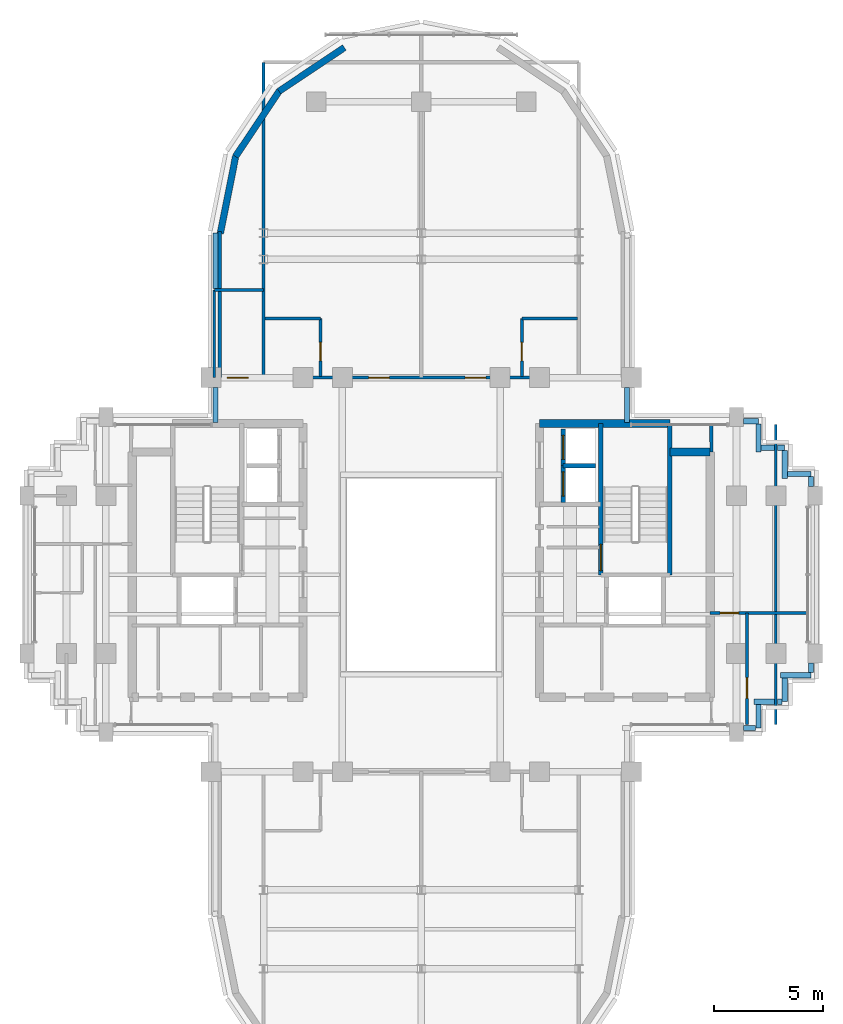
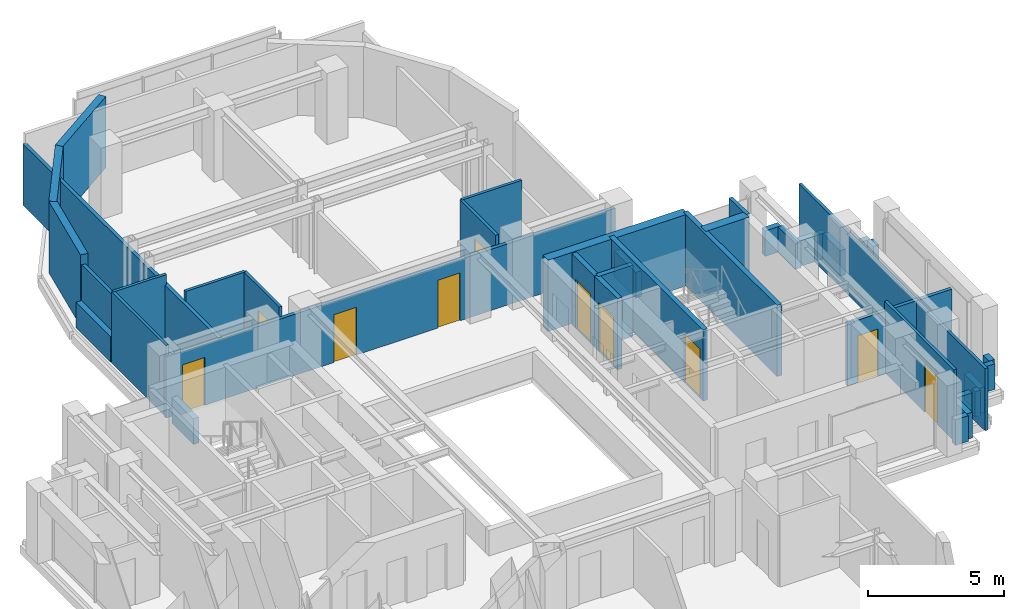
# One storey, part 8 of 12: 40 walls, 10 doors, 10 openings.
"""IFC4 building model written with IfcOpenShell, lengths in metres."""

from ifc_helpers import new_model, si_unit, direction, frame, frame_2d, origin, place, context, subcontext, project, spatial, rectangle, extrude, source, transform, mapped, material, layer, layer_set, type_object, element, fill, save


model = new_model("IFC4")

# Units and contexts
model_context = context("Model", 3, precision=1e-05, world=origin(), true_north=direction((0.0, 1.0)))
body_context = subcontext(model_context, "Body", "Model", "MODEL_VIEW")
ifc_project = project(units=[si_unit("LENGTHUNIT", "METRE"), si_unit("AREAUNIT", "SQUARE_METRE"), si_unit("VOLUMEUNIT", "CUBIC_METRE"), si_unit("PLANEANGLEUNIT", "RADIAN"), si_unit("MASSUNIT", "GRAM", prefix="KILO")], contexts=[model_context])

# Site, building, storey
site_placement = place(None, origin())
site = spatial("IfcSite", under=ifc_project, at=site_placement, CompositionType="ELEMENT")
building_placement = place(site_placement, origin())
building = spatial("IfcBuilding", under=site, at=building_placement, Name="Keilestroom Media Tower", CompositionType="ELEMENT")
storey_placement = place(building_placement, frame((0.0, 0.0, 187.60009765625)))
storey = spatial("IfcBuildingStorey", under=building, at=storey_placement, Name="L51", CompositionType="ELEMENT", Elevation=187.60009765625)

# Walls
ifc_material_1 = material(Name="Precast concrete C40/50", Category="concrete")
ifc_layer_1 = layer(ifc_material_1, 0.300048828125)
ifc_layer_set_1 = layer_set([ifc_layer_1], Name="Precast concrete C40/50")
wall_type_1 = type_object("IfcWallType", Name="Exterior-Masonry-Spandrel-Wall-300", PredefinedType="SOLIDWALL", material=ifc_layer_set_1)
wall_1_placement = place(storey_placement, frame((-3.510009765625, 24.073486328125, 0.0), z_axis=(0.0, 0.0, 1.0), x_axis=(-0.8314749531, -0.555562239868, 0.0)))
element("IfcWall", 1, at=wall_1_placement, inside=storey, type_object=wall_type_1, Name="L51 Lobe Facet Precast Frame Wall 04", PredefinedType="SOLIDWALL", context=body_context, shape_type="SweptSolid", body=[
    extrude(rectangle(XDim=3.59326171875, YDim=0.300048828125, at=frame_2d((1.796630859375, 0.0))), origin(), (0.0, 0.0, 1.0), 3.199951171875),
])
for number, where, z_axis, x_axis, name in (
    (2, (-6.47705078125, 22.097900390625, 0.0), (0.0, 0.0, 1.0), (-0.555574187116, -0.831466970246, 0.0), "L51 Lobe Facet Precast Frame Wall 05"),
    (3, (-8.470703125, 19.12451171875, 0.0), (0.0, 0.0, 1.0), (-0.195114232679, -0.980780523974, 0.0), "L51 Lobe Facet Precast Frame Wall 06"),
):
    element("IfcWall", number, at=place(storey_placement, frame(where, z_axis=z_axis, x_axis=x_axis)), inside=storey, type_object=wall_type_1, Name=name, PredefinedType="SOLIDWALL", context=body_context, shape_type="SweptSolid", body=[
        extrude(rectangle(XDim=3.608642578125, YDim=0.300048828125, at=frame_2d((1.80419921875, 0.0))), origin(), (0.0, 0.0, 1.0), 3.199951171875),
    ])
ifc_material_2 = material(Name="Gypsum Plasterboard & Steel Stud", Category="steel")
ifc_layer_2 = layer(ifc_material_2, 0.1201171875)
ifc_layer_set_2 = layer_set([ifc_layer_2], Name="Gypsum Plasterboard & Steel Stud")
wall_type_2 = type_object("IfcWallType", Name="Interior-Partition-Wall-120", PredefinedType="PARTITIONING", material=ifc_layer_set_2)
wall_2_placement = place(storey_placement, frame((-9.449951171875, 13.0, 0.0), z_axis=(0.0, 0.0, 1.0), x_axis=(1.0, 0.0, 0.0)))
element("IfcWall", 4, at=wall_2_placement, inside=storey, type_object=wall_type_2, Name="L51 Interior Wall WP-L51-H306-WC-N", PredefinedType="PARTITIONING", context=body_context, shape_type="SweptSolid", body=[
    extrude(rectangle(XDim=2.25, YDim=0.1201171875, at=frame_2d((1.125, 0.0))), origin(), (0.0, 0.0, 1.0), 3.199951171875),
])
wall_3_placement = place(storey_placement, frame((-9.449951171875, 9.0, 0.0), z_axis=(0.0, 0.0, 1.0), x_axis=(0.0, 1.0, 0.0)))
element("IfcWall", 5, at=wall_3_placement, inside=storey, type_object=wall_type_2, Name="L51 Interior Wall WP-L51-H306-WC-W", PredefinedType="PARTITIONING", context=body_context, shape_type="SweptSolid", body=[
    extrude(rectangle(XDim=4.0, YDim=0.1201171875, at=frame_2d((2.0, 0.0))), origin(), (0.0, 0.0, 1.0), 3.199951171875),
])

# Wall, opening, door
wall_4_placement = place(storey_placement, frame((-4.60009765625, 9.06005859375, 0.0), z_axis=(0.0, 0.0, 1.0), x_axis=(0.0, 1.0, 0.0)))
wall_4 = element("IfcWall", 6, at=wall_4_placement, inside=storey, type_object=wall_type_2, Name="L51 Interior Wall WP-L51-ENSW-NW", PredefinedType="PARTITIONING", context=body_context, shape_type="SweptSolid", body=[
    extrude(rectangle(XDim=2.639892578125, YDim=0.1201171875, at=frame_2d((1.31982421875, 0.0))), origin(), (0.0, 0.0, 1.0), 3.199951171875),
])
opening_1_placement = place(wall_4_placement, frame((0.699951171875, 0.0, 0.0)))
opening_1 = element("IfcOpeningElement", 7, at=opening_1_placement, cuts=wall_4, Name="Opening DI-05", PredefinedType="OPENING", context=body_context, shape_type="SweptSolid", body=[
    extrude(rectangle(XDim=0.85009765625, YDim=2.10009765625, at=frame_2d((0.425048828125, 1.050048828125))), frame((0.0, 0.070068359375, 0.0), z_axis=(0.0, -1.0, 0.0), x_axis=(1.0, 0.0, 0.0)), (0.0, 0.0, 1.0), 0.14013671875),
])
ifc_material_3 = material(Name="Moisture-Resistant Oak Leaf", Category="wood")
door_type_1 = type_object("IfcDoorType", Name="Interior-En-Suite-And-Cupboard-Door-DI-05", OperationType="NOTDEFINED", PredefinedType="DOOR", material=ifc_material_3)
shared_shape_1 = source(origin(), body_context, "Body", "SweptSolid", [
    extrude(rectangle(XDim=0.85009765625, YDim=2.10009765625, at=frame_2d((0.425048828125, 1.050048828125))), frame((0.0, 0.02490234375, 0.0), z_axis=(0.0, -1.0, 0.0), x_axis=(1.0, 0.0, 0.0)), (0.0, 0.0, 1.0), 0.050048828125),
])
door_1_placement = place(opening_1_placement, origin())
door_1 = element("IfcDoor", 8, at=door_1_placement, inside=storey, type_object=door_type_1, Name="L51 Interior Door DI-L51-DENS-NW", OperationType="SINGLE_SWING_LEFT", OverallHeight=2.10009765625, OverallWidth=0.85009765625, PredefinedType="DOOR", context=body_context, shape_type="MappedRepresentation", body=[
    mapped(shared_shape_1, transform((0.0, 0.0, 0.0), x_axis=(1.0, 0.0, 0.0), y_axis=(0.0, 1.0, 0.0), z_axis=(0.0, 0.0, 1.0), scale=1.0)),
])
fill(opening_1, door_1)

# Wall
wall_5_placement = place(storey_placement, frame((-7.139892578125, 11.699951171875, 0.0), z_axis=(0.0, 0.0, 1.0), x_axis=(1.0, 0.0, 0.0)))
element("IfcWall", 9, at=wall_5_placement, inside=storey, type_object=wall_type_2, Name="L51 Interior Wall WP-L51-ENSH-NW", PredefinedType="PARTITIONING", context=body_context, shape_type="SweptSolid", body=[
    extrude(rectangle(XDim=2.539794921875, YDim=0.1201171875, at=frame_2d((1.27001953125, 0.0))), origin(), (0.0, 0.0, 1.0), 3.199951171875),
])

# Wall, opening, door
wall_6_placement = place(storey_placement, frame((4.60009765625, 9.06005859375, 0.0), z_axis=(0.0, 0.0, 1.0), x_axis=(0.0, 1.0, 0.0)))
wall_6 = element("IfcWall", 10, at=wall_6_placement, inside=storey, type_object=wall_type_2, Name="L51 Interior Wall WP-L51-ENSW-NE", PredefinedType="PARTITIONING", context=body_context, shape_type="SweptSolid", body=[
    extrude(rectangle(XDim=2.639892578125, YDim=0.1201171875, at=frame_2d((1.31982421875, 0.0))), origin(), (0.0, 0.0, 1.0), 3.199951171875),
])
opening_2_placement = place(wall_6_placement, frame((0.699951171875, 0.0, 0.0)))
opening_2 = element("IfcOpeningElement", 11, at=opening_2_placement, cuts=wall_6, Name="Opening DI-05", PredefinedType="OPENING", context=body_context, shape_type="SweptSolid", body=[
    extrude(rectangle(XDim=0.85009765625, YDim=2.10009765625, at=frame_2d((0.425048828125, 1.050048828125))), frame((0.0, 0.070068359375, 0.0), z_axis=(0.0, -1.0, 0.0), x_axis=(1.0, 0.0, 0.0)), (0.0, 0.0, 1.0), 0.14013671875),
])
door_2_placement = place(opening_2_placement, origin())
door_2 = element("IfcDoor", 12, at=door_2_placement, inside=storey, type_object=door_type_1, Name="L51 Interior Door DI-L51-DENS-NE", OperationType="SINGLE_SWING_LEFT", OverallHeight=2.10009765625, OverallWidth=0.85009765625, PredefinedType="DOOR", context=body_context, shape_type="MappedRepresentation", body=[
    mapped(shared_shape_1, transform((0.0, 0.0, 0.0), x_axis=(1.0, 0.0, 0.0), y_axis=(0.0, 1.0, 0.0), z_axis=(0.0, 0.0, 1.0), scale=1.0)),
])
fill(opening_2, door_2)

# Walls
wall_7_placement = place(storey_placement, frame((4.60009765625, 11.699951171875, 0.0), z_axis=(0.0, 0.0, 1.0), x_axis=(1.0, 0.0, 0.0)))
element("IfcWall", 13, at=wall_7_placement, inside=storey, type_object=wall_type_2, Name="L51 Interior Wall WP-L51-ENSH-NE", PredefinedType="PARTITIONING", context=body_context, shape_type="SweptSolid", body=[
    extrude(rectangle(XDim=2.539794921875, YDim=0.1201171875, at=frame_2d((1.27001953125, 0.0))), origin(), (0.0, 0.0, 1.0), 3.199951171875),
])
wall_8_placement = place(storey_placement, frame((16.199951171875, -6.85009765625, 0.0), z_axis=(0.0, 0.0, 1.0), x_axis=(0.0, 1.0, 0.0)))
element("IfcWall", 14, at=wall_8_placement, inside=storey, type_object=wall_type_2, Name="L51 Interior Wall WP-L51-HEE-COL", PredefinedType="PARTITIONING", context=body_context, shape_type="SweptSolid", body=[
    extrude(rectangle(XDim=13.7001953125, YDim=0.1201171875, at=frame_2d((6.85009765625, 0.0))), origin(), (0.0, 0.0, 1.0), 2.7998046875),
])

# Wall, opening, door
wall_9_placement = place(storey_placement, frame((14.8798828125, -6.85009765625, 0.0), z_axis=(0.0, 0.0, 1.0), x_axis=(0.0, 1.0, 0.0)))
wall_9 = element("IfcWall", 15, at=wall_9_placement, inside=storey, type_object=wall_type_2, Name="L51 Interior Wall WP-L51-HSKP-W", PredefinedType="PARTITIONING", context=body_context, shape_type="SweptSolid", body=[
    extrude(rectangle(XDim=5.10009765625, YDim=0.1201171875, at=frame_2d((2.550048828125, 0.0))), origin(), (0.0, 0.0, 1.0), 3.199951171875),
])
opening_3_placement = place(wall_9_placement, frame((1.199951171875, 0.0, 0.0)))
opening_3 = element("IfcOpeningElement", 16, at=opening_3_placement, cuts=wall_9, Name="Opening DI-03", PredefinedType="OPENING", context=body_context, shape_type="SweptSolid", body=[
    extrude(rectangle(XDim=0.949951171875, YDim=2.14990234375, at=frame_2d((0.47509765625, 1.074951171875))), frame((0.0, 0.070068359375, 0.0), z_axis=(0.0, -1.0, 0.0), x_axis=(1.0, 0.0, 0.0)), (0.0, 0.0, 1.0), 0.14013671875),
])
ifc_material_4 = material(Name="Lacquered European Oak Leaf", Category="wood")
door_type_2 = type_object("IfcDoorType", Name="Interior-Room-And-Suite-Door-DI-03", OperationType="NOTDEFINED", PredefinedType="DOOR", material=ifc_material_4)
shared_shape_2 = source(origin(), body_context, "Body", "SweptSolid", [
    extrude(rectangle(XDim=0.949951171875, YDim=2.14990234375, at=frame_2d((0.47509765625, 1.074951171875))), frame((0.0, 0.02490234375, 0.0), z_axis=(0.0, -1.0, 0.0), x_axis=(1.0, 0.0, 0.0)), (0.0, 0.0, 1.0), 0.050048828125),
])
door_3_placement = place(opening_3_placement, origin())
door_3 = element("IfcDoor", 17, at=door_3_placement, inside=storey, type_object=door_type_2, Name="L51 Interior Door DI-L51-DHSKP-E", OperationType="SINGLE_SWING_LEFT", OverallHeight=2.14990234375, OverallWidth=0.949951171875, PredefinedType="DOOR", context=body_context, shape_type="MappedRepresentation", body=[
    mapped(shared_shape_2, transform((0.0, 0.0, 0.0), x_axis=(1.0, 0.0, 0.0), y_axis=(0.0, 1.0, 0.0), z_axis=(0.0, 0.0, 1.0), scale=1.0)),
])
fill(opening_3, door_3)

# Wall, openings, doors
ifc_layer_3 = layer(ifc_material_2, 0.14990234375)
ifc_layer_set_3 = layer_set([ifc_layer_3], Name="Gypsum Plasterboard & Steel Stud")
wall_type_3 = type_object("IfcWallType", Name="Interior-Partition-Wall-150", PredefinedType="PARTITIONING", material=ifc_layer_set_3)
wall_10_placement = place(storey_placement, frame((-9.550048828125, 9.0, 0.0), z_axis=(0.0, 0.0, 1.0), x_axis=(1.0, 0.0, 0.0)))
wall_10 = element("IfcWall", 18, at=wall_10_placement, inside=storey, type_object=wall_type_3, Name="L51 Interior Wall WP-L51-H306-N-BASE", PredefinedType="PARTITIONING", context=body_context, shape_type="SweptSolid", body=[
    extrude(rectangle(XDim=19.10009765625, YDim=0.14990234375, at=frame_2d((9.550048828125, 0.0))), origin(), (0.0, 0.0, 1.0), 2.75),
])
opening_4_placement = place(wall_10_placement, frame((0.699951171875, 0.0, 0.0)))
opening_4 = element("IfcOpeningElement", 19, at=opening_4_placement, cuts=wall_10, Name="Opening DI-03", PredefinedType="OPENING", context=body_context, shape_type="SweptSolid", body=[
    extrude(rectangle(XDim=0.949951171875, YDim=2.14990234375, at=frame_2d((0.47509765625, 1.074951171875))), frame((0.0, 0.0849609375, 0.0), z_axis=(0.0, -1.0, 0.0), x_axis=(1.0, 0.0, 0.0)), (0.0, 0.0, 1.0), 0.169921875),
])
opening_5_placement = place(wall_10_placement, frame((7.14990234375, 0.0, 0.0)))
opening_5 = element("IfcOpeningElement", 20, at=opening_5_placement, cuts=wall_10, Name="Opening DI-03", PredefinedType="OPENING", context=body_context, shape_type="SweptSolid", body=[
    extrude(rectangle(XDim=0.949951171875, YDim=2.14990234375, at=frame_2d((0.47509765625, 1.074951171875))), frame((0.0, 0.0849609375, 0.0), z_axis=(0.0, -1.0, 0.0), x_axis=(1.0, 0.0, 0.0)), (0.0, 0.0, 1.0), 0.169921875),
])
opening_6_placement = place(wall_10_placement, frame((11.550048828125, 0.0, 0.0)))
opening_6 = element("IfcOpeningElement", 21, at=opening_6_placement, cuts=wall_10, Name="Opening DI-03", PredefinedType="OPENING", context=body_context, shape_type="SweptSolid", body=[
    extrude(rectangle(XDim=0.949951171875, YDim=2.14990234375, at=frame_2d((0.47509765625, 1.074951171875))), frame((0.0, 0.0849609375, 0.0), z_axis=(0.0, -1.0, 0.0), x_axis=(1.0, 0.0, 0.0)), (0.0, 0.0, 1.0), 0.169921875),
])
door_4_placement = place(opening_4_placement, origin())
door_4 = element("IfcDoor", 22, at=door_4_placement, inside=storey, type_object=door_type_2, Name="L51 Interior Door DI-L51-DH306-WC", OperationType="SINGLE_SWING_RIGHT", OverallHeight=2.14990234375, OverallWidth=0.949951171875, PredefinedType="DOOR", context=body_context, shape_type="MappedRepresentation", body=[
    mapped(shared_shape_2, transform((0.0, 0.0, 0.0), x_axis=(1.0, 0.0, 0.0), y_axis=(0.0, 1.0, 0.0), z_axis=(0.0, 0.0, 1.0), scale=1.0)),
])
fill(opening_4, door_4)
door_5_placement = place(opening_5_placement, origin())
door_5 = element("IfcDoor", 23, at=door_5_placement, inside=storey, type_object=door_type_2, Name="L51 Interior Door DI-L51-DHTL-NW", OperationType="SINGLE_SWING_RIGHT", OverallHeight=2.14990234375, OverallWidth=0.949951171875, PredefinedType="DOOR", context=body_context, shape_type="MappedRepresentation", body=[
    mapped(shared_shape_2, transform((0.0, 0.0, 0.0), x_axis=(1.0, 0.0, 0.0), y_axis=(0.0, 1.0, 0.0), z_axis=(0.0, 0.0, 1.0), scale=1.0)),
])
fill(opening_5, door_5)
door_6_placement = place(opening_6_placement, origin())
door_6 = element("IfcDoor", 24, at=door_6_placement, inside=storey, type_object=door_type_2, Name="L51 Interior Door DI-L51-DHTL-NE", OperationType="SINGLE_SWING_RIGHT", OverallHeight=2.14990234375, OverallWidth=0.949951171875, PredefinedType="DOOR", context=body_context, shape_type="MappedRepresentation", body=[
    mapped(shared_shape_2, transform((0.0, 0.0, 0.0), x_axis=(1.0, 0.0, 0.0), y_axis=(0.0, 1.0, 0.0), z_axis=(0.0, 0.0, 1.0), scale=1.0)),
])
fill(opening_6, door_6)

# Walls
wall_11_placement = place(storey_placement, frame((-9.199951171875, 9.0, 0.0), z_axis=(0.0, 0.0, 1.0), x_axis=(0.0, 1.0, 0.0)))
element("IfcWall", 25, at=wall_11_placement, inside=storey, type_object=wall_type_3, Name="L51 Interior Wall WP-L51-NL-CHKW", PredefinedType="PARTITIONING", context=body_context, shape_type="SweptSolid", body=[
    extrude(rectangle(XDim=6.679931640625, YDim=0.14990234375, at=frame_2d((3.33984375, 0.0))), origin(), (0.0, 0.0, 1.0), 2.75),
])
wall_12_placement = place(storey_placement, frame((-7.199951171875, 9.0, 0.0), z_axis=(0.0, 0.0, 1.0), x_axis=(0.0, 1.0, 0.0)))
element("IfcWall", 26, at=wall_12_placement, inside=storey, type_object=wall_type_3, Name="L51 Interior Wall WP-L51-H306-NV--72", PredefinedType="PARTITIONING", context=body_context, shape_type="SweptSolid", body=[
    extrude(rectangle(XDim=14.39990234375, YDim=0.14990234375, at=frame_2d((7.199951171875, 0.0))), origin(), (0.0, 0.0, 1.0), 2.75),
])
wall_13_placement = place(storey_placement, frame((13.260009765625, 5.60009765625, 0.0), z_axis=(0.0, 0.0, 1.0), x_axis=(-0.016013571389, 0.999871774545, 0.0)))
element("IfcWall", 27, at=wall_13_placement, inside=storey, type_object=wall_type_3, Name="L51 Interior Wall WP-L51-HEE-ENK", PredefinedType="PARTITIONING", context=body_context, shape_type="SweptSolid", body=[
    extrude(rectangle(XDim=1.250244140625, YDim=0.14990234375, at=frame_2d((0.625, 0.0))), origin(), (0.0, 0.0, 1.0), 3.199951171875),
])

# Wall, opening, door
wall_14_placement = place(storey_placement, frame((13.199951171875, -1.75, 0.0), z_axis=(0.0, 0.0, 1.0), x_axis=(1.0, 0.0, 0.0)))
wall_14 = element("IfcWall", 28, at=wall_14_placement, inside=storey, type_object=wall_type_3, Name="L51 Interior Wall WP-L51-HLNG-S", PredefinedType="PARTITIONING", context=body_context, shape_type="SweptSolid", body=[
    extrude(rectangle(XDim=4.449951171875, YDim=0.14990234375, at=frame_2d((2.22509765625, 0.0))), origin(), (0.0, 0.0, 1.0), 2.7998046875),
])
opening_7_placement = place(wall_14_placement, frame((0.449951171875, 0.0, 0.0)))
opening_7 = element("IfcOpeningElement", 29, at=opening_7_placement, cuts=wall_14, Name="Opening DI-05", PredefinedType="OPENING", context=body_context, shape_type="SweptSolid", body=[
    extrude(rectangle(XDim=0.85009765625, YDim=2.10009765625, at=frame_2d((0.425048828125, 1.050048828125))), frame((0.0, 0.0849609375, 0.0), z_axis=(0.0, -1.0, 0.0), x_axis=(1.0, 0.0, 0.0)), (0.0, 0.0, 1.0), 0.169921875),
])
door_7_placement = place(opening_7_placement, origin())
door_7 = element("IfcDoor", 30, at=door_7_placement, inside=storey, type_object=door_type_1, Name="L51 Interior Door DI-L51-DLNG-E", OperationType="SINGLE_SWING_RIGHT", OverallHeight=2.10009765625, OverallWidth=0.85009765625, PredefinedType="DOOR", context=body_context, shape_type="MappedRepresentation", body=[
    mapped(shared_shape_1, transform((0.0, 0.0, 0.0), x_axis=(1.0, 0.0, 0.0), y_axis=(0.0, 1.0, 0.0), z_axis=(0.0, 0.0, 1.0), scale=1.0)),
])
fill(opening_7, door_7)

# Walls
ifc_material_5 = material(Name="Concrete C55/67", Category="concrete")
ifc_layer_4 = layer(ifc_material_5, 0.3798828125)
ifc_layer_set_4 = layer_set([ifc_layer_4], Name="Concrete C55/67")
wall_type_4 = type_object("IfcWallType", Name="Reinforced-Concrete-Core-Shear-Wall-380", PredefinedType="SHEAR", material=ifc_layer_set_4)
wall_15_placement = place(storey_placement, frame((5.39990234375, 6.89990234375, 0.0), z_axis=(0.0, 0.0, 1.0), x_axis=(1.0, 0.0, 0.0)))
element("IfcWall", 31, at=wall_15_placement, inside=storey, type_object=wall_type_4, Name="L51 Core Shear Wall WL-L51-CORE-E-N", PredefinedType="SHEAR", context=body_context, shape_type="SweptSolid", body=[
    extrude(rectangle(XDim=5.9560546875, YDim=0.3798828125, at=frame_2d((2.97802734375, 0.0))), origin(), (0.0, 0.0, 1.0), 3.199951171875),
])
wall_16_placement = place(storey_placement, frame((11.35595703125, 5.60009765625, 0.0), z_axis=(0.0, 0.0, 1.0), x_axis=(1.0, 0.0, 0.0)))
element("IfcWall", 32, at=wall_16_placement, inside=storey, type_object=wall_type_4, Name="L51 Core Shear Wall WL-L51-CNE-N", PredefinedType="SHEAR", context=body_context, shape_type="SweptSolid", body=[
    extrude(rectangle(XDim=1.843994140625, YDim=0.3798828125, at=frame_2d((0.921875, 0.0))), origin(), (0.0, 0.0, 1.0), 3.199951171875),
])

# Wall, opening, door
ifc_material_6 = material(Name="Concrete C50/60", Category="concrete")
ifc_layer_5 = layer(ifc_material_6, 0.199951171875)
ifc_layer_set_5 = layer_set([ifc_layer_5], Name="Concrete C50/60")
wall_type_5 = type_object("IfcWallType", Name="Reinforced-Concrete-Shaft-Wall-200", PredefinedType="SOLIDWALL", material=ifc_layer_set_5)
wall_17_placement = place(storey_placement, frame((8.2041015625, -0.01611328125, 0.0), z_axis=(0.0, 0.0, 1.0), x_axis=(0.0, 1.0, 0.0)))
wall_17 = element("IfcWall", 33, at=wall_17_placement, inside=storey, type_object=wall_type_5, Name="L51 Core Shear Wall WL-L51-STW-E-NEAR", PredefinedType="SOLIDWALL", context=body_context, shape_type="SweptSolid", body=[
    extrude(rectangle(XDim=6.916015625, YDim=0.199951171875, at=frame_2d((3.4580078125, 0.0))), origin(), (0.0, 0.0, 1.0), 3.199951171875),
])
opening_8_placement = place(wall_17_placement, frame((0.199951171875, 0.0, 0.0)))
opening_8 = element("IfcOpeningElement", 34, at=opening_8_placement, cuts=wall_17, Name="Opening DI-01S", PredefinedType="OPENING", context=body_context, shape_type="SweptSolid", body=[
    extrude(rectangle(XDim=1.199951171875, YDim=2.199951171875, at=frame_2d((0.60009765625, 1.10009765625))), frame((0.0, 0.10986328125, 0.0), z_axis=(0.0, -1.0, 0.0), x_axis=(1.0, 0.0, 0.0)), (0.0, 0.0, 1.0), 0.219970703125),
])
ifc_material_7 = material(Name="Powder-Coated Steel Fire Leaf", Category="steel")
door_type_3 = type_object("IfcDoorType", Name="Interior-Stair-And-Core-Fire-Door-DI-01", OperationType="NOTDEFINED", PredefinedType="DOOR", material=ifc_material_7)
shared_shape_3 = source(origin(), body_context, "Body", "SweptSolid", [
    extrude(rectangle(XDim=1.199951171875, YDim=2.199951171875, at=frame_2d((0.60009765625, 1.10009765625))), frame((0.0, 0.02490234375, 0.0), z_axis=(0.0, -1.0, 0.0), x_axis=(1.0, 0.0, 0.0)), (0.0, 0.0, 1.0), 0.050048828125),
])
door_8_placement = place(opening_8_placement, origin())
door_8 = element("IfcDoor", 35, at=door_8_placement, inside=storey, type_object=door_type_3, Name="L51 Escape Stair ST-2 Fire Door", OperationType="SINGLE_SWING_RIGHT", OverallHeight=2.199951171875, OverallWidth=1.199951171875, PredefinedType="DOOR", context=body_context, shape_type="MappedRepresentation", body=[
    mapped(shared_shape_3, transform((0.0, 0.0, 0.0), x_axis=(1.0, 0.0, 0.0), y_axis=(0.0, 1.0, 0.0), z_axis=(0.0, 0.0, 1.0), scale=1.0)),
])
fill(opening_8, door_8)

# Wall
wall_18_placement = place(storey_placement, frame((11.35595703125, -0.01611328125, 0.0), z_axis=(0.0, 0.0, 1.0), x_axis=(0.0, 1.0, 0.0)))
element("IfcWall", 36, at=wall_18_placement, inside=storey, type_object=wall_type_5, Name="L51 Core Shear Wall WL-L51-STW-E-FAR", PredefinedType="SOLIDWALL", context=body_context, shape_type="SweptSolid", body=[
    extrude(rectangle(XDim=6.916015625, YDim=0.199951171875, at=frame_2d((3.4580078125, 0.0))), origin(), (0.0, 0.0, 1.0), 3.199951171875),
])

# Wall, opening, door
wall_19_placement = place(storey_placement, frame((6.47998046875, 3.300048828125, 0.0), z_axis=(0.0, 0.0, 1.0), x_axis=(0.0, 1.0, 0.0)))
wall_19 = element("IfcWall", 37, at=wall_19_placement, inside=storey, type_object=wall_type_5, Name="L51 Core Shear Wall WL-L51-LSH-PL-H3-W", PredefinedType="SOLIDWALL", context=body_context, shape_type="SweptSolid", body=[
    extrude(rectangle(XDim=1.679931640625, YDim=0.199951171875, at=frame_2d((0.83984375, 0.0))), origin(), (0.0, 0.0, 1.0), 3.199951171875),
])
opening_9_placement = place(wall_19_placement, frame((0.2900390625, 0.0, 0.0)))
opening_9 = element("IfcOpeningElement", 38, at=opening_9_placement, cuts=wall_19, Name="Opening LD-01", PredefinedType="OPENING", context=body_context, shape_type="SweptSolid", body=[
    extrude(rectangle(XDim=1.10009765625, YDim=2.199951171875, at=frame_2d((0.550048828125, 1.10009765625))), frame((0.0, 0.10986328125, 0.0), z_axis=(0.0, -1.0, 0.0), x_axis=(1.0, 0.0, 0.0)), (0.0, 0.0, 1.0), 0.219970703125),
])
ifc_material_8 = material(Name="Brushed Stainless Steel Sliding Leaf", Category="steel")
door_type_4 = type_object("IfcDoorType", Name="Lift-Landing-Sliding-Door-LD-01", OperationType="SLIDING_TO_LEFT", PredefinedType="DOOR", material=ifc_material_8)
shared_shape_4 = source(origin(), body_context, "Body", "SweptSolid", [
    extrude(rectangle(XDim=1.10009765625, YDim=2.199951171875, at=frame_2d((0.550048828125, 1.10009765625))), frame((0.0, 0.02490234375, 0.0), z_axis=(0.0, -1.0, 0.0), x_axis=(1.0, 0.0, 0.0)), (0.0, 0.0, 1.0), 0.050048828125),
])
door_9_placement = place(opening_9_placement, origin())
door_9 = element("IfcDoor", 39, at=door_9_placement, inside=storey, type_object=door_type_4, Name="L51 Lift PL-H3 Landing Sliding Door", OperationType="SLIDING_TO_LEFT", OverallHeight=2.199951171875, OverallWidth=1.10009765625, PredefinedType="DOOR", context=body_context, shape_type="MappedRepresentation", body=[
    mapped(shared_shape_4, transform((0.0, 0.0, 0.0), x_axis=(1.0, 0.0, 0.0), y_axis=(0.0, 1.0, 0.0), z_axis=(0.0, 0.0, 1.0), scale=1.0)),
])
fill(opening_9, door_9)

# Wall
wall_20_placement = place(storey_placement, frame((6.47998046875, 4.97998046875, 0.0), z_axis=(0.0, 0.0, 1.0), x_axis=(1.0, 0.0, 0.0)))
element("IfcWall", 40, at=wall_20_placement, inside=storey, type_object=wall_type_5, Name="L51 Core Shear Wall WL-L51-LSH-PL-H3-N", PredefinedType="SOLIDWALL", context=body_context, shape_type="SweptSolid", body=[
    extrude(rectangle(XDim=1.469970703125, YDim=0.199951171875, at=frame_2d((0.73486328125, 0.0))), origin(), (0.0, 0.0, 1.0), 3.199951171875),
])

# Wall, opening, door
wall_21_placement = place(storey_placement, frame((6.47998046875, 4.97998046875, 0.0), z_axis=(0.0, 0.0, 1.0), x_axis=(0.0, 1.0, 0.0)))
wall_21 = element("IfcWall", 41, at=wall_21_placement, inside=storey, type_object=wall_type_5, Name="L51 Core Shear Wall WL-L51-LSH-PL-H4-W", PredefinedType="SOLIDWALL", context=body_context, shape_type="SweptSolid", body=[
    extrude(rectangle(XDim=1.669921875, YDim=0.199951171875, at=frame_2d((0.8349609375, 0.0))), origin(), (0.0, 0.0, 1.0), 3.199951171875),
])
opening_10_placement = place(wall_21_placement, frame((0.284912109375, 0.0, 0.0)))
opening_10 = element("IfcOpeningElement", 42, at=opening_10_placement, cuts=wall_21, Name="Opening LD-01", PredefinedType="OPENING", context=body_context, shape_type="SweptSolid", body=[
    extrude(rectangle(XDim=1.10009765625, YDim=2.199951171875, at=frame_2d((0.550048828125, 1.10009765625))), frame((0.0, 0.10986328125, 0.0), z_axis=(0.0, -1.0, 0.0), x_axis=(1.0, 0.0, 0.0)), (0.0, 0.0, 1.0), 0.219970703125),
])
door_10_placement = place(opening_10_placement, origin())
door_10 = element("IfcDoor", 43, at=door_10_placement, inside=storey, type_object=door_type_4, Name="L51 Lift PL-H4 Landing Sliding Door", OperationType="SLIDING_TO_LEFT", OverallHeight=2.199951171875, OverallWidth=1.10009765625, PredefinedType="DOOR", context=body_context, shape_type="MappedRepresentation", body=[
    mapped(shared_shape_4, transform((0.0, 0.0, 0.0), x_axis=(1.0, 0.0, 0.0), y_axis=(0.0, 1.0, 0.0), z_axis=(0.0, 0.0, 1.0), scale=1.0)),
])
fill(opening_10, door_10)

# Walls
ifc_layer_6 = layer(ifc_material_1, 0.239990234375)
ifc_layer_set_6 = layer_set([ifc_layer_6], Name="Precast concrete C40/50")
wall_type_6 = type_object("IfcWallType", Name="Roof-And-Terrace-Parapet-Wall-240", PredefinedType="PARAPET", material=ifc_layer_set_6)
wall_22_placement = place(storey_placement, frame((17.800048828125, -4.60009765625, 0.0), z_axis=(0.0, 0.0, 1.0), x_axis=(-1.0, 0.0, 0.0)))
element("IfcWall", 44, at=wall_22_placement, inside=storey, type_object=wall_type_6, Name="L51 Perimeter Edge Parapet Wall 01", PredefinedType="PARAPET", context=body_context, shape_type="SweptSolid", body=[
    extrude(rectangle(XDim=1.400146484375, YDim=0.239990234375, at=frame_2d((0.7001953125, 0.0))), origin(), (0.0, 0.0, 1.0), 1.14990234375),
])
wall_23_placement = place(storey_placement, frame((16.60009765625, -4.722900390625, 0.0), z_axis=(0.0, 0.0, 1.0), x_axis=(0.0, -1.0, 0.0)))
element("IfcWall", 45, at=wall_23_placement, inside=storey, type_object=wall_type_6, Name="L51 Perimeter Edge Parapet Wall 02", PredefinedType="PARAPET", context=body_context, shape_type="SweptSolid", body=[
    extrude(rectangle(XDim=1.0771484375, YDim=0.239990234375, at=frame_2d((0.53857421875, 0.0))), origin(), (0.0, 0.0, 1.0), 1.14990234375),
])
wall_24_placement = place(storey_placement, frame((16.47705078125, -5.800048828125, 0.0), z_axis=(0.0, 0.0, 1.0), x_axis=(-1.0, 0.0, 0.0)))
element("IfcWall", 46, at=wall_24_placement, inside=storey, type_object=wall_type_6, Name="L51 Perimeter Edge Parapet Wall 03", PredefinedType="PARAPET", context=body_context, shape_type="SweptSolid", body=[
    extrude(rectangle(XDim=0.214111328125, YDim=0.239990234375, at=frame_2d((0.10693359375, 0.0))), origin(), (0.0, 0.0, 1.0), 1.14990234375),
])
wall_25_placement = place(storey_placement, frame((16.136962890625, -5.800048828125, 0.0), z_axis=(0.0, 0.0, 1.0), x_axis=(-1.0, 0.0, 0.0)))
element("IfcWall", 47, at=wall_25_placement, inside=storey, type_object=wall_type_6, Name="L51 Perimeter Edge Parapet Wall 04", PredefinedType="PARAPET", context=body_context, shape_type="SweptSolid", body=[
    extrude(rectangle(XDim=0.93701171875, YDim=0.239990234375, at=frame_2d((0.468505859375, 0.0))), origin(), (0.0, 0.0, 1.0), 1.14990234375),
])
wall_26_placement = place(storey_placement, frame((15.39990234375, -5.923095703125, 0.0), z_axis=(0.0, 0.0, 1.0), x_axis=(0.0, -1.0, 0.0)))
element("IfcWall", 48, at=wall_26_placement, inside=storey, type_object=wall_type_6, Name="L51 Perimeter Edge Parapet Wall 05", PredefinedType="PARAPET", context=body_context, shape_type="SweptSolid", body=[
    extrude(rectangle(XDim=1.076904296875, YDim=0.239990234375, at=frame_2d((0.53857421875, 0.0))), origin(), (0.0, 0.0, 1.0), 1.14990234375),
])
wall_27_placement = place(storey_placement, frame((15.277099609375, -7.0, 0.0), z_axis=(0.0, 0.0, 1.0), x_axis=(-1.0, 0.0, 0.0)))
element("IfcWall", 49, at=wall_27_placement, inside=storey, type_object=wall_type_6, Name="L51 Perimeter Edge Parapet Wall 06", PredefinedType="PARAPET", context=body_context, shape_type="SweptSolid", body=[
    extrude(rectangle(XDim=0.549072265625, YDim=0.239990234375, at=frame_2d((0.2744140625, 0.0))), origin(), (0.0, 0.0, 1.0), 1.14990234375),
])
wall_28_placement = place(storey_placement, frame((-9.39990234375, 6.952880859375, 0.0), z_axis=(0.0, 0.0, 1.0), x_axis=(0.0, 1.0, 0.0)))
element("IfcWall", 50, at=wall_28_placement, inside=storey, type_object=wall_type_6, Name="L51 Perimeter Edge Parapet Wall 26", PredefinedType="PARAPET", context=body_context, shape_type="SweptSolid", body=[
    extrude(rectangle(XDim=1.59423828125, YDim=0.239990234375, at=frame_2d((0.797119140625, 0.0))), origin(), (0.0, 0.0, 1.0), 1.14990234375),
])
wall_29_placement = place(storey_placement, frame((-9.39990234375, 13.06298828125, 0.0), z_axis=(0.0, 0.0, 1.0), x_axis=(0.0, 1.0, 0.0)))
element("IfcWall", 51, at=wall_29_placement, inside=storey, type_object=wall_type_6, Name="L51 Perimeter Edge Parapet Wall 27", PredefinedType="PARAPET", context=body_context, shape_type="SweptSolid", body=[
    extrude(rectangle(XDim=2.539794921875, YDim=0.239990234375, at=frame_2d((1.27001953125, 0.0))), origin(), (0.0, 0.0, 1.0), 1.14990234375),
])
wall_30_placement = place(storey_placement, frame((9.39990234375, 8.547119140625, 0.0), z_axis=(0.0, 0.0, 1.0), x_axis=(0.0, -1.0, 0.0)))
element("IfcWall", 52, at=wall_30_placement, inside=storey, type_object=wall_type_6, Name="L51 Perimeter Edge Parapet Wall 30", PredefinedType="PARAPET", context=body_context, shape_type="SweptSolid", body=[
    extrude(rectangle(XDim=1.59423828125, YDim=0.239990234375, at=frame_2d((0.797119140625, 0.0))), origin(), (0.0, 0.0, 1.0), 1.14990234375),
])
wall_31_placement = place(storey_placement, frame((14.72802734375, 7.0, 0.0), z_axis=(0.0, 0.0, 1.0), x_axis=(1.0, 0.0, 0.0)))
element("IfcWall", 53, at=wall_31_placement, inside=storey, type_object=wall_type_6, Name="L51 Perimeter Edge Parapet Wall 31", PredefinedType="PARAPET", context=body_context, shape_type="SweptSolid", body=[
    extrude(rectangle(XDim=0.671875, YDim=0.239990234375, at=frame_2d((0.3359375, 0.0))), origin(), (0.0, 0.0, 1.0), 1.14990234375),
])
wall_32_placement = place(storey_placement, frame((15.39990234375, 6.876953125, 0.0), z_axis=(0.0, 0.0, 1.0), x_axis=(0.0, -1.0, 0.0)))
element("IfcWall", 54, at=wall_32_placement, inside=storey, type_object=wall_type_6, Name="L51 Perimeter Edge Parapet Wall 32", PredefinedType="PARAPET", context=body_context, shape_type="SweptSolid", body=[
    extrude(rectangle(XDim=1.27685546875, YDim=0.239990234375, at=frame_2d((0.638427734375, 0.0))), origin(), (0.0, 0.0, 1.0), 1.14990234375),
])
wall_33_placement = place(storey_placement, frame((15.52294921875, 5.800048828125, 0.0), z_axis=(0.0, 0.0, 1.0), x_axis=(1.0, 0.0, 0.0)))
element("IfcWall", 55, at=wall_33_placement, inside=storey, type_object=wall_type_6, Name="L51 Perimeter Edge Parapet Wall 33", PredefinedType="PARAPET", context=body_context, shape_type="SweptSolid", body=[
    extrude(rectangle(XDim=0.614013671875, YDim=0.239990234375, at=frame_2d((0.30712890625, 0.0))), origin(), (0.0, 0.0, 1.0), 1.14990234375),
])
wall_34_placement = place(storey_placement, frame((16.262939453125, 5.800048828125, 0.0), z_axis=(0.0, 0.0, 1.0), x_axis=(1.0, 0.0, 0.0)))
element("IfcWall", 56, at=wall_34_placement, inside=storey, type_object=wall_type_6, Name="L51 Perimeter Edge Parapet Wall 34", PredefinedType="PARAPET", context=body_context, shape_type="SweptSolid", body=[
    extrude(rectangle(XDim=0.337158203125, YDim=0.239990234375, at=frame_2d((0.16845703125, 0.0))), origin(), (0.0, 0.0, 1.0), 1.14990234375),
])
wall_35_placement = place(storey_placement, frame((16.60009765625, 5.677001953125, 0.0), z_axis=(0.0, 0.0, 1.0), x_axis=(0.0, -1.0, 0.0)))
element("IfcWall", 57, at=wall_35_placement, inside=storey, type_object=wall_type_6, Name="L51 Perimeter Edge Parapet Wall 35", PredefinedType="PARAPET", context=body_context, shape_type="SweptSolid", body=[
    extrude(rectangle(XDim=1.277099609375, YDim=0.239990234375, at=frame_2d((0.638671875, 0.0))), origin(), (0.0, 0.0, 1.0), 1.14990234375),
])
wall_36_placement = place(storey_placement, frame((16.722900390625, 4.60009765625, 0.0), z_axis=(0.0, 0.0, 1.0), x_axis=(1.0, 0.0, 0.0)))
element("IfcWall", 58, at=wall_36_placement, inside=storey, type_object=wall_type_6, Name="L51 Perimeter Edge Parapet Wall 36", PredefinedType="PARAPET", context=body_context, shape_type="SweptSolid", body=[
    extrude(rectangle(XDim=1.0771484375, YDim=0.239990234375, at=frame_2d((0.53857421875, 0.0))), origin(), (0.0, 0.0, 1.0), 1.14990234375),
])
for number, where, z_axis, x_axis, name in (
    (59, (17.800048828125, 4.47705078125, 0.0), (0.0, 0.0, 1.0), (0.0, -1.0, 0.0), "L51 Perimeter Edge Parapet Wall 37"),
    (60, (17.800048828125, -4.028076171875, 0.0), (0.0, 0.0, 1.0), (0.0, -1.0, 0.0), "L51 Perimeter Edge Parapet Wall 38"),
):
    element("IfcWall", number, at=place(storey_placement, frame(where, z_axis=z_axis, x_axis=x_axis)), inside=storey, type_object=wall_type_6, Name=name, PredefinedType="PARAPET", context=body_context, shape_type="SweptSolid", body=[
        extrude(rectangle(XDim=0.448974609375, YDim=0.239990234375, at=frame_2d((0.224609375, 0.0))), origin(), (0.0, 0.0, 1.0), 1.14990234375),
    ])

save(model, "model.ifc")
